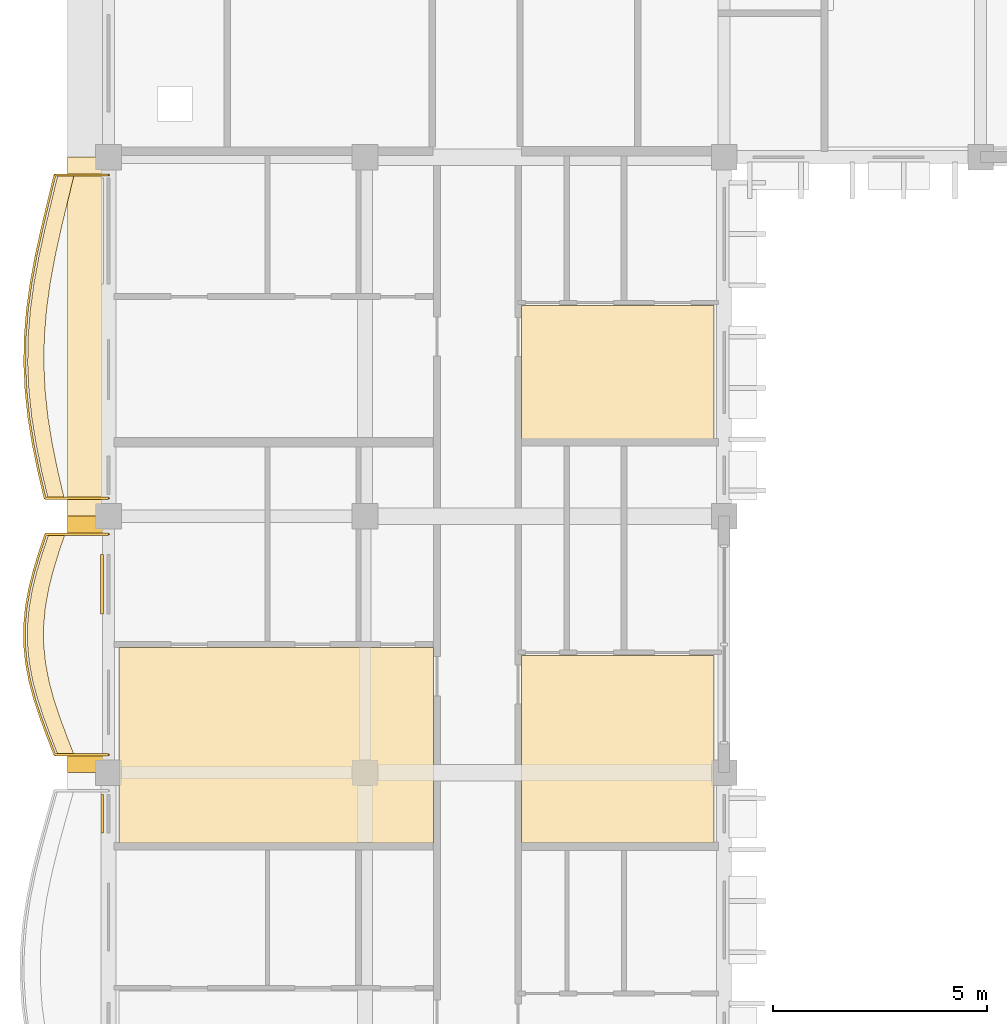
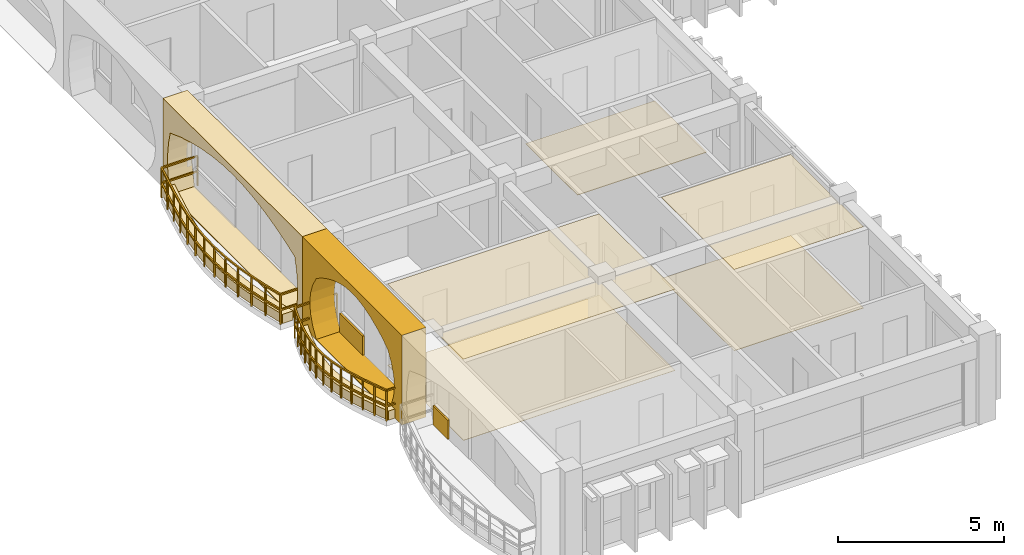
# One storey, part 22 of 31: 11 coverings, 2 railings.
"""IFC4 building model written with IfcOpenShell, lengths in metres."""

from ifc_helpers import new_model, si_unit, direction, frame, origin, origin_2d, place, context, subcontext, project, spatial, polyline, rectangle, outline, extrude, material, layer, layer_set, type_object, element, save


model = new_model("IFC4")

# Units and contexts
model_context = context("Model", 3, precision=1e-05, world=origin(), true_north=direction((0.0, 1.0)))
body_context = subcontext(model_context, "Body", "Model", "MODEL_VIEW")
ifc_project = project(units=[si_unit("LENGTHUNIT", "METRE"), si_unit("AREAUNIT", "SQUARE_METRE"), si_unit("VOLUMEUNIT", "CUBIC_METRE"), si_unit("PLANEANGLEUNIT", "RADIAN"), si_unit("MASSUNIT", "GRAM", prefix="KILO"), si_unit("THERMODYNAMICTEMPERATUREUNIT", "KELVIN")], contexts=[model_context])

# Site, building, storey
site_placement = place(None, origin())
site = spatial("IfcSite", under=ifc_project, at=site_placement, CompositionType="ELEMENT")
building_placement = place(site_placement, origin())
building = spatial("IfcBuilding", under=site, at=building_placement, Name="Thalorik Housing Commons", CompositionType="ELEMENT")
storey_placement = place(building_placement, frame((0.0, 0.0, 37.800048828125)))
storey = spatial("IfcBuildingStorey", under=building, at=storey_placement, Name="L11", CompositionType="ELEMENT", Elevation=37.800048828125)

# Coverings
ifc_material_1 = material(Name="Precast concrete C40/50", Category="concrete")
ifc_layer_1 = layer(ifc_material_1, 0.85009765625, Name="Precast concrete C40/50", Category="concrete")
ifc_layer_set_1 = layer_set([ifc_layer_1], Name="Precast concrete C40/50")
covering_type_1 = type_object("IfcCoveringType", Name="ARC-CLD-CUSH-850", PredefinedType="CLADDING", material=ifc_layer_set_1)
covering_1_placement = place(storey_placement, frame((7.862548828125, 105.0, 0.0), z_axis=(0.0, 0.0, 1.0), x_axis=(0.0, -1.0, 0.0)))
element("IfcCovering", 1, at=covering_1_placement, inside=storey, type_object=covering_type_1, Name="L11 White Precast Curved Cushion Bay Frame 1138", PredefinedType="CLADDING", context=body_context, shape_type="SweptSolid", body=[
    extrude(outline(polyline([(-4.199951171875, 0.0), (4.199951171875, 0.0), (4.199951171875, 3.300048828125), (-4.199951171875, 3.300048828125), (-4.199951171875, 0.0)]), holes=[polyline([(3.739990234375, 0.02490234375), (3.837158203125, 0.40087890625), (3.8955078125, 0.776611328125), (3.914794921875, 1.152587890625), (3.8955078125, 1.5283203125), (3.837158203125, 1.904296875), (3.739990234375, 2.280029296875), (3.11474609375, 2.51123046875), (2.489501953125, 2.693115234375), (1.864501953125, 2.840087890625), (1.2392578125, 2.94970703125), (0.614013671875, 3.01708984375), (-0.01123046875, 3.0400390625), (-0.636474609375, 3.01708984375), (-1.26171875, 2.94970703125), (-1.886962890625, 2.840087890625), (-2.51220703125, 2.693115234375), (-3.13720703125, 2.51123046875), (-3.762451171875, 2.280029296875), (-3.85498046875, 1.904296875), (-3.910400390625, 1.5283203125), (-3.9287109375, 1.152587890625), (-3.910400390625, 0.776611328125), (-3.85498046875, 0.40087890625), (-3.762451171875, 0.02490234375), (3.739990234375, 0.02490234375)])]), frame((0.0, 0.425048828125, 0.0), z_axis=(0.0, -1.0, 0.0), x_axis=(1.0, 0.0, 0.0)), (0.0, 0.0, 1.0), 0.85009765625),
])
covering_2_placement = place(storey_placement, frame((7.862548828125, 97.800048828125, 0.0), z_axis=(0.0, 0.0, 1.0), x_axis=(0.0, -1.0, 0.0)))
element("IfcCovering", 2, at=covering_2_placement, inside=storey, type_object=covering_type_1, Name="L11 White Precast Curved Cushion Bay Frame 1140", PredefinedType="CLADDING", context=body_context, shape_type="SweptSolid", body=[
    extrude(outline(polyline([(-3.0, 0.0), (3.0, 0.0), (3.0, 3.300048828125), (-3.0, 3.300048828125), (-3.0, 0.0)]), holes=[polyline([(2.152587890625, 0.02490234375), (2.373291015625, 0.399169921875), (2.505859375, 0.773193359375), (2.550048828125, 1.1474609375), (2.505859375, 1.521728515625), (2.373291015625, 1.895751953125), (2.152587890625, 2.27001953125), (1.793212890625, 2.50439453125), (1.43408203125, 2.6884765625), (1.074951171875, 2.837646484375), (0.7158203125, 2.948486328125), (0.356689453125, 3.016845703125), (-0.00244140625, 3.0400390625), (-0.36181640625, 3.016845703125), (-0.720703125, 2.948486328125), (-1.080078125, 2.837646484375), (-1.439208984375, 2.6884765625), (-1.79833984375, 2.50439453125), (-2.157470703125, 2.27001953125), (-2.37548828125, 1.895751953125), (-2.50634765625, 1.521728515625), (-2.550048828125, 1.1474609375), (-2.50634765625, 0.773193359375), (-2.37548828125, 0.399169921875), (-2.157470703125, 0.02490234375), (2.152587890625, 0.02490234375)])]), frame((0.0, 0.425048828125, 0.0), z_axis=(0.0, -1.0, 0.0), x_axis=(1.0, 0.0, 0.0)), (0.0, 0.0, 1.0), 0.85009765625),
])
ifc_material_2 = material(Name="Terracotta red mineral fibre-cement panel", Category="masonry")
ifc_layer_2 = layer(ifc_material_2, 0.054931640625, Name="Terracotta red mineral fibre-cement panel", Category="masonry")
ifc_layer_set_2 = layer_set([ifc_layer_2], Name="Terracotta red mineral fibre-cement panel")
covering_type_2 = type_object("IfcCoveringType", Name="ARC-CLD-RED-55", PredefinedType="CLADDING", material=ifc_layer_set_2)
covering_3_placement = place(storey_placement, frame((8.2548828125, 93.844970703125, 0.0498046875), z_axis=(0.0, 0.0, 1.0), x_axis=(0.0, -1.0, 0.0)))
element("IfcCovering", 3, at=covering_3_placement, inside=storey, type_object=covering_type_2, Name="L11 De Stijl Recessed Window Spandrel 1143", PredefinedType="CLADDING", context=body_context, shape_type="SweptSolid", body=[
    extrude(rectangle(XDim=0.89990234375, YDim=0.054931640625, at=origin_2d()), origin(), (0.0, 0.0, 1.0), 0.699951171875),
])
ifc_material_3 = material(Name="Mineral ochre architectural terracotta panel", Category="masonry")
ifc_layer_3 = layer(ifc_material_3, 0.06494140625, Name="Mineral ochre architectural terracotta panel", Category="masonry")
ifc_layer_set_3 = layer_set([ifc_layer_3], Name="Mineral ochre architectural terracotta panel")
covering_type_3 = type_object("IfcCoveringType", Name="ARC-CLD-YEL-65", PredefinedType="CLADDING", material=ifc_layer_set_3)
covering_4_placement = place(storey_placement, frame((8.25, 99.20751953125, 0.0498046875), z_axis=(0.0, 0.0, 1.0), x_axis=(0.0, -1.0, 0.0)))
element("IfcCovering", 4, at=covering_4_placement, inside=storey, type_object=covering_type_3, Name="L11 De Stijl Recessed Window Spandrel 1141", PredefinedType="CLADDING", context=body_context, shape_type="SweptSolid", body=[
    extrude(rectangle(XDim=1.39990234375, YDim=0.06494140625, at=origin_2d()), origin(), (0.0, 0.0, 1.0), 0.699951171875),
])
ifc_material_4 = material(Name="Perforated acoustic gypsum ceiling board")
ifc_layer_4 = layer(ifc_material_4, 0.014892578125, Name="Perforated acoustic gypsum ceiling board")
ifc_layer_set_4 = layer_set([ifc_layer_4], Name="Perforated acoustic gypsum ceiling board")
covering_type_4 = type_object("IfcCoveringType", Name="ARC-COV-CEIL-01", PredefinedType="CEILING", material=ifc_layer_set_4)
covering_5_placement = place(storey_placement, frame((0.0, 0.0, 2.98486328125)))
element("IfcCovering", 5, at=covering_5_placement, inside=storey, type_object=covering_type_4, Name="L11 Family Lounge Suspended Ceiling", PredefinedType="CEILING", context=body_context, shape_type="SweptSolid", body=[
    extrude(outline(polyline([(16.0, 97.735107421875), (8.639892578125, 97.735107421875), (8.639892578125, 93.159912109375), (16.0, 93.159912109375), (16.0, 97.735107421875)])), origin(), (0.0, 0.0, 1.0), 0.01513671875),
])
ifc_material_5 = material(Name="Mineral fibre acoustic ceiling tile")
ifc_layer_5 = layer(ifc_material_5, 0.01806640625, Name="Mineral fibre acoustic ceiling tile")
ifc_layer_set_5 = layer_set([ifc_layer_5], Name="Mineral fibre acoustic ceiling tile")
covering_type_5 = type_object("IfcCoveringType", Name="ARC-COV-CEIL-02", PredefinedType="CEILING", material=ifc_layer_set_5)
covering_6_placement = place(storey_placement, frame((0.0, 0.0, 2.98193359375)))
element("IfcCovering", 6, at=covering_6_placement, inside=storey, type_object=covering_type_5, Name="L11 Sunlit Wintergarden Lounge Suspended Ceiling", PredefinedType="CEILING", context=body_context, shape_type="SweptSolid", body=[
    extrude(outline(polyline([(22.56005859375, 97.5458984375), (18.06005859375, 97.5458984375), (18.06005859375, 93.159912109375), (22.56005859375, 93.159912109375), (22.56005859375, 97.5458984375)])), origin(), (0.0, 0.0, 1.0), 0.01806640625),
])
ifc_material_6 = material(Name="Glazed Recife ceramic apartment floor tile")
ifc_layer_6 = layer(ifc_material_6, 0.011962890625, Name="Glazed Recife ceramic apartment floor tile")
ifc_layer_set_6 = layer_set([ifc_layer_6], Name="Glazed Recife ceramic apartment floor tile")
covering_type_6 = type_object("IfcCoveringType", Name="ARC-COV-FLR-01", PredefinedType="FLOORING", material=ifc_layer_set_6)
covering_7_placement = place(storey_placement, origin())
element("IfcCovering", 7, at=covering_7_placement, inside=storey, type_object=covering_type_6, Name="L11 Family Lounge Flooring", PredefinedType="FLOORING", context=body_context, shape_type="SweptSolid", body=[
    extrude(outline(polyline([(16.0, 97.735107421875), (8.639892578125, 97.735107421875), (8.639892578125, 93.159912109375), (16.0, 93.159912109375), (16.0, 97.735107421875)])), origin(), (0.0, 0.0, 1.0), 0.011962890625),
])
ifc_material_7 = material(Name="Slip-resistant quarry terracotta corridor tile", Category="masonry")
ifc_layer_7 = layer(ifc_material_7, 0.01611328125, Name="Slip-resistant quarry terracotta corridor tile", Category="masonry")
ifc_layer_set_7 = layer_set([ifc_layer_7], Name="Slip-resistant quarry terracotta corridor tile")
covering_type_7 = type_object("IfcCoveringType", Name="ARC-COV-FLR-02", PredefinedType="FLOORING", material=ifc_layer_set_7)
covering_8_placement = place(storey_placement, origin())
element("IfcCovering", 8, at=covering_8_placement, inside=storey, type_object=covering_type_7, Name="L11 Sunlit Wintergarden Lounge Flooring", PredefinedType="FLOORING", context=body_context, shape_type="SweptSolid", body=[
    extrude(outline(polyline([(22.56005859375, 97.5458984375), (18.06005859375, 97.5458984375), (18.06005859375, 93.159912109375), (22.56005859375, 93.159912109375), (22.56005859375, 97.5458984375)])), origin(), (0.0, 0.0, 1.0), 0.015869140625),
])
ifc_material_8 = material(Name="Cushioned natural linoleum nursery playroom flooring")
ifc_layer_8 = layer(ifc_material_8, 0.02001953125, Name="Cushioned natural linoleum nursery playroom flooring")
ifc_layer_set_8 = layer_set([ifc_layer_8], Name="Cushioned natural linoleum nursery playroom flooring")
covering_type_8 = type_object("IfcCoveringType", Name="ARC-COV-FLR-03", PredefinedType="FLOORING", material=ifc_layer_set_8)
covering_9_placement = place(storey_placement, origin())
element("IfcCovering", 9, at=covering_9_placement, inside=storey, type_object=covering_type_8, Name="L11 Living Dining Room Flooring", PredefinedType="FLOORING", context=body_context, shape_type="SweptSolid", body=[
    extrude(outline(polyline([(22.56005859375, 105.728759765625), (18.06005859375, 105.728759765625), (18.06005859375, 102.610107421875), (22.56005859375, 102.610107421875), (22.56005859375, 105.728759765625)])), origin(), (0.0, 0.0, 1.0), 0.02001953125),
])
ifc_material_9 = material(Name="Planted vegetated substrate and terracotta trough", Category="masonry")
ifc_layer_9 = layer(ifc_material_9, 0.340087890625, Name="Planted vegetated substrate and terracotta trough", Category="masonry")
ifc_layer_set_9 = layer_set([ifc_layer_9], Name="Planted vegetated substrate and terracotta trough")
covering_type_9 = type_object("IfcCoveringType", Name="ARC-COV-PLANTER", PredefinedType="USERDEFINED", material=ifc_layer_set_9)
covering_10_placement = place(storey_placement, origin())
element("IfcCovering", 10, at=covering_10_placement, inside=storey, type_object=covering_type_9, Name="L11 Balcony Slab-Edge Planted Trough 5395", ObjectType="PLANTER", PredefinedType="USERDEFINED", context=body_context, shape_type="SweptSolid", body=[
    extrude(outline(polyline([(7.001220703125, 100.3798828125), (6.856689453125, 99.949951171875), (6.725830078125, 99.52001953125), (6.618408203125, 99.090087890625), (6.542236328125, 98.659912109375), (6.503173828125, 98.22998046875), (6.50439453125, 97.800048828125), (6.547119140625, 97.3701171875), (6.628662109375, 96.93994140625), (6.744384765625, 96.510009765625), (6.88671875, 96.080078125), (7.046875, 95.64990234375), (7.214111328125, 95.219970703125), (7.59423828125, 95.219970703125), (7.427001953125, 95.64990234375), (7.266845703125, 96.080078125), (7.124267578125, 96.510009765625), (7.0087890625, 96.93994140625), (6.927001953125, 97.3701171875), (6.884521484375, 97.800048828125), (6.883056640625, 98.22998046875), (6.922119140625, 98.659912109375), (6.998291015625, 99.090087890625), (7.10595703125, 99.52001953125), (7.236572265625, 99.949951171875), (7.381103515625, 100.3798828125), (7.001220703125, 100.3798828125)])), origin(), (0.0, 0.0, 1.0), 0.33984375),
])
covering_11_placement = place(storey_placement, origin())
element("IfcCovering", 11, at=covering_11_placement, inside=storey, type_object=covering_type_9, Name="L11 Balcony Slab-Edge Planted Trough 5396", ObjectType="PLANTER", PredefinedType="USERDEFINED", context=body_context, shape_type="SweptSolid", body=[
    extrude(outline(polyline([(7.213134765625, 108.780029296875), (7.061279296875, 108.14990234375), (6.911376953125, 107.52001953125), (6.773681640625, 106.889892578125), (6.6572265625, 106.260009765625), (6.57080078125, 105.6298828125), (6.519775390625, 105.0), (6.50830078125, 104.3701171875), (6.537109375, 103.739990234375), (6.604736328125, 103.110107421875), (6.70654296875, 102.47998046875), (6.8359375, 101.85009765625), (6.98388671875, 101.219970703125), (7.364013671875, 101.219970703125), (7.2158203125, 101.85009765625), (7.086669921875, 102.47998046875), (6.98486328125, 103.110107421875), (6.917236328125, 103.739990234375), (6.88818359375, 104.3701171875), (6.89990234375, 105.0), (6.95068359375, 105.6298828125), (7.037353515625, 106.260009765625), (7.153564453125, 106.889892578125), (7.29150390625, 107.52001953125), (7.44140625, 108.14990234375), (7.59326171875, 108.780029296875), (7.213134765625, 108.780029296875)])), origin(), (0.0, 0.0, 1.0), 0.33984375),
])

# Railings
ifc_material_10 = material(Name="Steel S355", Category="steel")
railing_type_1 = type_object("IfcRailingType", Name="ARC-RL-BAL-112", PredefinedType="BALUSTRADE", material=ifc_material_10)
railing_1_placement = place(storey_placement, frame((8.39990234375, 108.780029296875, 0.0)))
element("IfcRailing", 12, at=railing_1_placement, inside=storey, type_object=railing_type_1, Name="L11 Cushion Balcony Guardrail 80", PredefinedType="BALUSTRADE", context=body_context, shape_type="SweptSolid", body=[
    extrude(rectangle(XDim=0.050048828125, YDim=0.050048828125, at=origin_2d()), frame((0.0, 0.0, 1.09521484375), z_axis=(-1.0, 0.0, 0.0), x_axis=(0.0, -1.0, 0.0)), (0.0, 0.0, 1.0), 1.256591796875),
    extrude(rectangle(XDim=0.050048828125, YDim=0.050048828125, at=origin_2d()), frame((0.0, 0.0, 0.53515625), z_axis=(-1.0, 0.0, 0.0), x_axis=(0.0, -1.0, 0.0)), (0.0, 0.0, 1.0), 1.256591796875),
    extrude(rectangle(XDim=0.050048828125, YDim=0.050048828125, at=origin_2d()), frame((-1.256591796875, 0.0, 1.09521484375), z_axis=(-0.234640533104, -0.972082208573, 0.0), x_axis=(0.972082208573, -0.234640533104, 0.0)), (0.0, 0.0, 1.0), 0.648193359375),
    extrude(rectangle(XDim=0.050048828125, YDim=0.050048828125, at=origin_2d()), frame((-1.256591796875, 0.0, 0.53515625), z_axis=(-0.234640533104, -0.972082208573, 0.0), x_axis=(0.972082208573, -0.234640533104, 0.0)), (0.0, 0.0, 1.0), 0.648193359375),
    extrude(rectangle(XDim=0.050048828125, YDim=0.050048828125, at=origin_2d()), frame((-1.40869140625, -0.630126953125, 1.09521484375), z_axis=(-0.231518572545, -0.972830483983, 0.0), x_axis=(0.972830483983, -0.231518572545, 0.0)), (0.0, 0.0, 1.0), 0.6474609375),
    extrude(rectangle(XDim=0.050048828125, YDim=0.050048828125, at=origin_2d()), frame((-1.40869140625, -0.630126953125, 0.53515625), z_axis=(-0.231518572545, -0.972830483983, 0.0), x_axis=(0.972830483983, -0.231518572545, 0.0)), (0.0, 0.0, 1.0), 0.6474609375),
    extrude(rectangle(XDim=0.050048828125, YDim=0.050048828125, at=origin_2d()), frame((-1.55859375, -1.260009765625, 1.09521484375), z_axis=(-0.213482393647, -0.976946911353, 0.0), x_axis=(0.976946911353, -0.213482393647, 0.0)), (0.0, 0.0, 1.0), 0.64501953125),
    extrude(rectangle(XDim=0.050048828125, YDim=0.050048828125, at=origin_2d()), frame((-1.55859375, -1.260009765625, 0.53515625), z_axis=(-0.213482393647, -0.976946911353, 0.0), x_axis=(0.976946911353, -0.213482393647, 0.0)), (0.0, 0.0, 1.0), 0.64501953125),
    extrude(rectangle(XDim=0.050048828125, YDim=0.050048828125, at=origin_2d()), frame((-1.6962890625, -1.89013671875, 1.09521484375), z_axis=(-0.181434062548, -0.98340311213, 0.0), x_axis=(0.98340311213, -0.181434062548, 0.0)), (0.0, 0.0, 1.0), 0.640625),
    extrude(rectangle(XDim=0.050048828125, YDim=0.050048828125, at=origin_2d()), frame((-1.6962890625, -1.89013671875, 0.53515625), z_axis=(-0.181434062548, -0.98340311213, 0.0), x_axis=(0.98340311213, -0.181434062548, 0.0)), (0.0, 0.0, 1.0), 0.640625),
    extrude(rectangle(XDim=0.050048828125, YDim=0.050048828125, at=origin_2d()), frame((-1.8125, -2.52001953125, 1.09521484375), z_axis=(-0.136260720322, -0.990673011693, 0.0), x_axis=(0.990673011693, -0.136260720322, 0.0)), (0.0, 0.0, 1.0), 0.635986328125),
    extrude(rectangle(XDim=0.050048828125, YDim=0.050048828125, at=origin_2d()), frame((-1.8125, -2.52001953125, 0.53515625), z_axis=(-0.136260720322, -0.990673011693, 0.0), x_axis=(0.990673011693, -0.136260720322, 0.0)), (0.0, 0.0, 1.0), 0.635986328125),
    extrude(rectangle(XDim=0.050048828125, YDim=0.050048828125, at=origin_2d()), frame((-1.899169921875, -3.150146484375, 1.09521484375), z_axis=(-0.080743256197, -0.996734932958, 0.0), x_axis=(0.996734932958, -0.080743256197, 0.0)), (0.0, 0.0, 1.0), 0.6318359375),
    extrude(rectangle(XDim=0.050048828125, YDim=0.050048828125, at=origin_2d()), frame((-1.899169921875, -3.150146484375, 0.53515625), z_axis=(-0.080743256197, -0.996734932958, 0.0), x_axis=(0.996734932958, -0.080743256197, 0.0)), (0.0, 0.0, 1.0), 0.6318359375),
    extrude(rectangle(XDim=0.050048828125, YDim=0.050048828125, at=origin_2d()), frame((-1.9501953125, -3.780029296875, 1.09521484375), z_axis=(-0.01821403225, -0.999834110755, 0.0), x_axis=(0.999834110755, -0.01821403225, 0.0)), (0.0, 0.0, 1.0), 0.6298828125),
    extrude(rectangle(XDim=0.050048828125, YDim=0.050048828125, at=origin_2d()), frame((-1.9501953125, -3.780029296875, 0.53515625), z_axis=(-0.01821403225, -0.999834110755, 0.0), x_axis=(0.999834110755, -0.01821403225, 0.0)), (0.0, 0.0, 1.0), 0.6298828125),
    extrude(rectangle(XDim=0.050048828125, YDim=0.050048828125, at=origin_2d()), frame((-1.961669921875, -4.409912109375, 1.09521484375), z_axis=(0.046057232665, -0.99893880259, 0.0), x_axis=(0.99893880259, 0.046057232665, 0.0)), (0.0, 0.0, 1.0), 0.630859375),
    extrude(rectangle(XDim=0.050048828125, YDim=0.050048828125, at=origin_2d()), frame((-1.961669921875, -4.409912109375, 0.53515625), z_axis=(0.046057232665, -0.99893880259, 0.0), x_axis=(0.99893880259, 0.046057232665, 0.0)), (0.0, 0.0, 1.0), 0.630859375),
    extrude(rectangle(XDim=0.050048828125, YDim=0.050048828125, at=origin_2d()), frame((-1.9326171875, -5.0400390625, 1.09521484375), z_axis=(0.106750840094, -0.994285803046, 0.0), x_axis=(0.994285803046, 0.106750840094, 0.0)), (0.0, 0.0, 1.0), 0.633544921875),
    extrude(rectangle(XDim=0.050048828125, YDim=0.050048828125, at=origin_2d()), frame((-1.9326171875, -5.0400390625, 0.53515625), z_axis=(0.106750840094, -0.994285803046, 0.0), x_axis=(0.994285803046, 0.106750840094, 0.0)), (0.0, 0.0, 1.0), 0.633544921875),
    extrude(rectangle(XDim=0.050048828125, YDim=0.050048828125, at=origin_2d()), frame((-1.864990234375, -5.669921875, 1.09521484375), z_axis=(0.159496992938, -0.987198414324, 0.0), x_axis=(0.987198414324, 0.159496992938, 0.0)), (0.0, 0.0, 1.0), 0.63818359375),
    extrude(rectangle(XDim=0.050048828125, YDim=0.050048828125, at=origin_2d()), frame((-1.864990234375, -5.669921875, 0.53515625), z_axis=(0.159496992938, -0.987198414324, 0.0), x_axis=(0.987198414324, 0.159496992938, 0.0)), (0.0, 0.0, 1.0), 0.63818359375),
    extrude(rectangle(XDim=0.050048828125, YDim=0.050048828125, at=origin_2d()), frame((-1.76318359375, -6.300048828125, 1.09521484375), z_axis=(0.200860058517, -0.979619945128, 0.0), x_axis=(0.979619945128, 0.200860058517, 0.0)), (0.0, 0.0, 1.0), 0.64306640625),
    extrude(rectangle(XDim=0.050048828125, YDim=0.050048828125, at=origin_2d()), frame((-1.76318359375, -6.300048828125, 0.53515625), z_axis=(0.200860058517, -0.979619945128, 0.0), x_axis=(0.979619945128, 0.200860058517, 0.0)), (0.0, 0.0, 1.0), 0.64306640625),
    extrude(rectangle(XDim=0.050048828125, YDim=0.050048828125, at=origin_2d()), frame((-1.634033203125, -6.929931640625, 1.09521484375), z_axis=(0.228934223097, -0.973441894257, 0.0), x_axis=(0.973441894257, 0.228934223097, 0.0)), (0.0, 0.0, 1.0), 0.647216796875),
    extrude(rectangle(XDim=0.050048828125, YDim=0.050048828125, at=origin_2d()), frame((-1.634033203125, -6.929931640625, 0.53515625), z_axis=(0.228934223097, -0.973441894257, 0.0), x_axis=(0.973441894257, 0.228934223097, 0.0)), (0.0, 0.0, 1.0), 0.647216796875),
    extrude(rectangle(XDim=0.050048828125, YDim=0.050048828125, at=origin_2d()), frame((-1.48583984375, -7.56005859375, 1.09521484375), z_axis=(1.0, 0.0, 0.0), x_axis=(0.0, 1.0, 0.0)), (0.0, 0.0, 1.0), 1.48583984375),
    extrude(rectangle(XDim=0.050048828125, YDim=0.050048828125, at=origin_2d()), frame((-1.48583984375, -7.56005859375, 0.53515625), z_axis=(1.0, 0.0, 0.0), x_axis=(0.0, 1.0, 0.0)), (0.0, 0.0, 1.0), 1.48583984375),
    extrude(rectangle(XDim=0.0419921875, YDim=0.0419921875, at=origin_2d()), origin(), (0.0, 0.0, 1.0), 1.070068359375),
    extrude(rectangle(XDim=0.0419921875, YDim=0.0419921875, at=origin_2d()), frame((-1.256591796875, 0.0, 0.0)), (0.0, 0.0, 1.0), 1.070068359375),
    extrude(rectangle(XDim=0.0419921875, YDim=0.0419921875, at=origin_2d()), frame((-1.40869140625, -0.630126953125, 0.0)), (0.0, 0.0, 1.0), 1.070068359375),
    extrude(rectangle(XDim=0.0419921875, YDim=0.0419921875, at=origin_2d()), frame((-1.55859375, -1.260009765625, 0.0)), (0.0, 0.0, 1.0), 1.070068359375),
    extrude(rectangle(XDim=0.0419921875, YDim=0.0419921875, at=origin_2d()), frame((-1.6962890625, -1.89013671875, 0.0)), (0.0, 0.0, 1.0), 1.070068359375),
    extrude(rectangle(XDim=0.0419921875, YDim=0.0419921875, at=origin_2d()), frame((-1.8125, -2.52001953125, 0.0)), (0.0, 0.0, 1.0), 1.070068359375),
    extrude(rectangle(XDim=0.0419921875, YDim=0.0419921875, at=origin_2d()), frame((-1.899169921875, -3.150146484375, 0.0)), (0.0, 0.0, 1.0), 1.070068359375),
    extrude(rectangle(XDim=0.0419921875, YDim=0.0419921875, at=origin_2d()), frame((-1.9501953125, -3.780029296875, 0.0)), (0.0, 0.0, 1.0), 1.070068359375),
    extrude(rectangle(XDim=0.0419921875, YDim=0.0419921875, at=origin_2d()), frame((-1.961669921875, -4.409912109375, 0.0)), (0.0, 0.0, 1.0), 1.070068359375),
    extrude(rectangle(XDim=0.0419921875, YDim=0.0419921875, at=origin_2d()), frame((-1.9326171875, -5.0400390625, 0.0)), (0.0, 0.0, 1.0), 1.070068359375),
    extrude(rectangle(XDim=0.0419921875, YDim=0.0419921875, at=origin_2d()), frame((-1.864990234375, -5.669921875, 0.0)), (0.0, 0.0, 1.0), 1.070068359375),
    extrude(rectangle(XDim=0.0419921875, YDim=0.0419921875, at=origin_2d()), frame((-1.76318359375, -6.300048828125, 0.0)), (0.0, 0.0, 1.0), 1.070068359375),
    extrude(rectangle(XDim=0.0419921875, YDim=0.0419921875, at=origin_2d()), frame((-1.634033203125, -6.929931640625, 0.0)), (0.0, 0.0, 1.0), 1.070068359375),
    extrude(rectangle(XDim=0.0419921875, YDim=0.0419921875, at=origin_2d()), frame((-1.48583984375, -7.56005859375, 0.0)), (0.0, 0.0, 1.0), 1.070068359375),
    extrude(rectangle(XDim=0.0419921875, YDim=0.0419921875, at=origin_2d()), frame((0.0, -7.56005859375, 0.0)), (0.0, 0.0, 1.0), 1.070068359375),
])
railing_type_2 = type_object("IfcRailingType", Name="ARC-RL-BAL-115", PredefinedType="BALUSTRADE", material=ifc_material_10)
railing_2_placement = place(storey_placement, frame((8.39990234375, 100.3798828125, 0.0)))
element("IfcRailing", 13, at=railing_2_placement, inside=storey, type_object=railing_type_2, Name="L11 Cushion Balcony Guardrail 79", PredefinedType="BALUSTRADE", context=body_context, shape_type="SweptSolid", body=[
    extrude(rectangle(XDim=0.050048828125, YDim=0.050048828125, at=origin_2d()), frame((0.0, 0.0, 1.125), z_axis=(-1.0, 0.0, 0.0), x_axis=(0.0, -1.0, 0.0)), (0.0, 0.0, 1.0), 1.46875),
    extrude(rectangle(XDim=0.050048828125, YDim=0.050048828125, at=origin_2d()), frame((0.0, 0.0, 0.5498046875), z_axis=(-1.0, 0.0, 0.0), x_axis=(0.0, -1.0, 0.0)), (0.0, 0.0, 1.0), 1.46875),
    extrude(rectangle(XDim=0.050048828125, YDim=0.050048828125, at=origin_2d()), frame((-1.46875, 0.0, 1.125), z_axis=(-0.318648897539, -0.947872818524, 0.0), x_axis=(0.947872818524, -0.318648897539, 0.0)), (0.0, 0.0, 1.0), 0.45361328125),
    extrude(rectangle(XDim=0.050048828125, YDim=0.050048828125, at=origin_2d()), frame((-1.46875, 0.0, 0.5498046875), z_axis=(-0.318648897539, -0.947872818524, 0.0), x_axis=(0.947872818524, -0.318648897539, 0.0)), (0.0, 0.0, 1.0), 0.45361328125),
    extrude(rectangle(XDim=0.050048828125, YDim=0.050048828125, at=origin_2d()), frame((-1.61328125, -0.429931640625, 1.125), z_axis=(-0.290685923883, -0.956818527024, 0.0), x_axis=(0.956818527024, -0.290685923883, 0.0)), (0.0, 0.0, 1.0), 0.44921875),
    extrude(rectangle(XDim=0.050048828125, YDim=0.050048828125, at=origin_2d()), frame((-1.61328125, -0.429931640625, 0.5498046875), z_axis=(-0.290685923883, -0.956818527024, 0.0), x_axis=(0.956818527024, -0.290685923883, 0.0)), (0.0, 0.0, 1.0), 0.44921875),
    extrude(rectangle(XDim=0.050048828125, YDim=0.050048828125, at=origin_2d()), frame((-1.743896484375, -0.85986328125, 1.125), z_axis=(-0.242924440194, -0.970045213563, 0.0), x_axis=(0.970045213563, -0.242924440194, 0.0)), (0.0, 0.0, 1.0), 0.443115234375),
    extrude(rectangle(XDim=0.050048828125, YDim=0.050048828125, at=origin_2d()), frame((-1.743896484375, -0.85986328125, 0.5498046875), z_axis=(-0.242924440194, -0.970045213563, 0.0), x_axis=(0.970045213563, -0.242924440194, 0.0)), (0.0, 0.0, 1.0), 0.443115234375),
    extrude(rectangle(XDim=0.050048828125, YDim=0.050048828125, at=origin_2d()), frame((-1.8515625, -1.289794921875, 1.125), z_axis=(-0.174359150343, -0.984682124694, 0.0), x_axis=(0.984682124694, -0.174359150343, 0.0)), (0.0, 0.0, 1.0), 0.436767578125),
    extrude(rectangle(XDim=0.050048828125, YDim=0.050048828125, at=origin_2d()), frame((-1.8515625, -1.289794921875, 0.5498046875), z_axis=(-0.174359150343, -0.984682124694, 0.0), x_axis=(0.984682124694, -0.174359150343, 0.0)), (0.0, 0.0, 1.0), 0.436767578125),
    extrude(rectangle(XDim=0.050048828125, YDim=0.050048828125, at=origin_2d()), frame((-1.927734375, -1.719970703125, 1.125), z_axis=(-0.090484755539, -0.995897840652, 0.0), x_axis=(0.995897840652, -0.090484755539, 0.0)), (0.0, 0.0, 1.0), 0.431640625),
    extrude(rectangle(XDim=0.050048828125, YDim=0.050048828125, at=origin_2d()), frame((-1.927734375, -1.719970703125, 0.5498046875), z_axis=(-0.090484755539, -0.995897840652, 0.0), x_axis=(0.995897840652, -0.090484755539, 0.0)), (0.0, 0.0, 1.0), 0.431640625),
    extrude(rectangle(XDim=0.050048828125, YDim=0.050048828125, at=origin_2d()), frame((-1.966796875, -2.14990234375, 1.125), z_axis=(0.003407135249, -0.999994195698, 0.0), x_axis=(0.999994195698, 0.003407135249, 0.0)), (0.0, 0.0, 1.0), 0.429931640625),
    extrude(rectangle(XDim=0.050048828125, YDim=0.050048828125, at=origin_2d()), frame((-1.966796875, -2.14990234375, 0.5498046875), z_axis=(0.003407135249, -0.999994195698, 0.0), x_axis=(0.999994195698, 0.003407135249, 0.0)), (0.0, 0.0, 1.0), 0.429931640625),
    extrude(rectangle(XDim=0.050048828125, YDim=0.050048828125, at=origin_2d()), frame((-1.96533203125, -2.579833984375, 1.125), z_axis=(0.098328674028, -0.995153994045, 0.0), x_axis=(0.995153994045, 0.098328674028, 0.0)), (0.0, 0.0, 1.0), 0.43212890625),
    extrude(rectangle(XDim=0.050048828125, YDim=0.050048828125, at=origin_2d()), frame((-1.96533203125, -2.579833984375, 0.5498046875), z_axis=(0.098328674028, -0.995153994045, 0.0), x_axis=(0.995153994045, 0.098328674028, 0.0)), (0.0, 0.0, 1.0), 0.43212890625),
    extrude(rectangle(XDim=0.050048828125, YDim=0.050048828125, at=origin_2d()), frame((-1.9228515625, -3.009765625, 1.125), z_axis=(0.18624084911, -0.982504120156, 0.0), x_axis=(0.982504120156, 0.18624084911, 0.0)), (0.0, 0.0, 1.0), 0.437744140625),
    extrude(rectangle(XDim=0.050048828125, YDim=0.050048828125, at=origin_2d()), frame((-1.9228515625, -3.009765625, 0.5498046875), z_axis=(0.18624084911, -0.982504120156, 0.0), x_axis=(0.982504120156, 0.18624084911, 0.0)), (0.0, 0.0, 1.0), 0.437744140625),
    extrude(rectangle(XDim=0.050048828125, YDim=0.050048828125, at=origin_2d()), frame((-1.84130859375, -3.43994140625, 1.125), z_axis=(0.259914478843, -0.965631639751, 0.0), x_axis=(0.965631639751, 0.259914478843, 0.0)), (0.0, 0.0, 1.0), 0.4453125),
    extrude(rectangle(XDim=0.050048828125, YDim=0.050048828125, at=origin_2d()), frame((-1.84130859375, -3.43994140625, 0.5498046875), z_axis=(0.259914478843, -0.965631639751, 0.0), x_axis=(0.965631639751, 0.259914478843, 0.0)), (0.0, 0.0, 1.0), 0.4453125),
    extrude(rectangle(XDim=0.050048828125, YDim=0.050048828125, at=origin_2d()), frame((-1.7255859375, -3.869873046875, 1.125), z_axis=(0.314772111925, -0.949167275855, 0.0), x_axis=(0.949167275855, 0.314772111925, 0.0)), (0.0, 0.0, 1.0), 0.452880859375),
    extrude(rectangle(XDim=0.050048828125, YDim=0.050048828125, at=origin_2d()), frame((-1.7255859375, -3.869873046875, 0.5498046875), z_axis=(0.314772111925, -0.949167275855, 0.0), x_axis=(0.949167275855, 0.314772111925, 0.0)), (0.0, 0.0, 1.0), 0.452880859375),
    extrude(rectangle(XDim=0.050048828125, YDim=0.050048828125, at=origin_2d()), frame((-1.5830078125, -4.2998046875, 1.125), z_axis=(0.348440290152, -0.937330979003, 0.0), x_axis=(0.937330979003, 0.348440290152, 0.0)), (0.0, 0.0, 1.0), 0.458984375),
    extrude(rectangle(XDim=0.050048828125, YDim=0.050048828125, at=origin_2d()), frame((-1.5830078125, -4.2998046875, 0.5498046875), z_axis=(0.348440290152, -0.937330979003, 0.0), x_axis=(0.937330979003, 0.348440290152, 0.0)), (0.0, 0.0, 1.0), 0.458984375),
    extrude(rectangle(XDim=0.050048828125, YDim=0.050048828125, at=origin_2d()), frame((-1.423095703125, -4.72998046875, 1.125), z_axis=(0.362982422944, -0.931795986595, 0.0), x_axis=(0.931795986595, 0.362982422944, 0.0)), (0.0, 0.0, 1.0), 0.46142578125),
    extrude(rectangle(XDim=0.050048828125, YDim=0.050048828125, at=origin_2d()), frame((-1.423095703125, -4.72998046875, 0.5498046875), z_axis=(0.362982422944, -0.931795986595, 0.0), x_axis=(0.931795986595, 0.362982422944, 0.0)), (0.0, 0.0, 1.0), 0.46142578125),
    extrude(rectangle(XDim=0.050048828125, YDim=0.050048828125, at=origin_2d()), frame((-1.255615234375, -5.159912109375, 1.125), z_axis=(1.0, 0.0, 0.0), x_axis=(0.0, 1.0, 0.0)), (0.0, 0.0, 1.0), 1.255615234375),
    extrude(rectangle(XDim=0.050048828125, YDim=0.050048828125, at=origin_2d()), frame((-1.255615234375, -5.159912109375, 0.5498046875), z_axis=(1.0, 0.0, 0.0), x_axis=(0.0, 1.0, 0.0)), (0.0, 0.0, 1.0), 1.255615234375),
    extrude(rectangle(XDim=0.0419921875, YDim=0.0419921875, at=origin_2d()), origin(), (0.0, 0.0, 1.0), 1.099853515625),
    extrude(rectangle(XDim=0.0419921875, YDim=0.0419921875, at=origin_2d()), frame((-1.46875, 0.0, 0.0)), (0.0, 0.0, 1.0), 1.099853515625),
    extrude(rectangle(XDim=0.0419921875, YDim=0.0419921875, at=origin_2d()), frame((-1.61328125, -0.429931640625, 0.0)), (0.0, 0.0, 1.0), 1.099853515625),
    extrude(rectangle(XDim=0.0419921875, YDim=0.0419921875, at=origin_2d()), frame((-1.743896484375, -0.85986328125, 0.0)), (0.0, 0.0, 1.0), 1.099853515625),
    extrude(rectangle(XDim=0.0419921875, YDim=0.0419921875, at=origin_2d()), frame((-1.8515625, -1.289794921875, 0.0)), (0.0, 0.0, 1.0), 1.099853515625),
    extrude(rectangle(XDim=0.0419921875, YDim=0.0419921875, at=origin_2d()), frame((-1.927734375, -1.719970703125, 0.0)), (0.0, 0.0, 1.0), 1.099853515625),
    extrude(rectangle(XDim=0.0419921875, YDim=0.0419921875, at=origin_2d()), frame((-1.966796875, -2.14990234375, 0.0)), (0.0, 0.0, 1.0), 1.099853515625),
    extrude(rectangle(XDim=0.0419921875, YDim=0.0419921875, at=origin_2d()), frame((-1.96533203125, -2.579833984375, 0.0)), (0.0, 0.0, 1.0), 1.099853515625),
    extrude(rectangle(XDim=0.0419921875, YDim=0.0419921875, at=origin_2d()), frame((-1.9228515625, -3.009765625, 0.0)), (0.0, 0.0, 1.0), 1.099853515625),
    extrude(rectangle(XDim=0.0419921875, YDim=0.0419921875, at=origin_2d()), frame((-1.84130859375, -3.43994140625, 0.0)), (0.0, 0.0, 1.0), 1.099853515625),
    extrude(rectangle(XDim=0.0419921875, YDim=0.0419921875, at=origin_2d()), frame((-1.7255859375, -3.869873046875, 0.0)), (0.0, 0.0, 1.0), 1.099853515625),
    extrude(rectangle(XDim=0.0419921875, YDim=0.0419921875, at=origin_2d()), frame((-1.5830078125, -4.2998046875, 0.0)), (0.0, 0.0, 1.0), 1.099853515625),
    extrude(rectangle(XDim=0.0419921875, YDim=0.0419921875, at=origin_2d()), frame((-1.423095703125, -4.72998046875, 0.0)), (0.0, 0.0, 1.0), 1.099853515625),
    extrude(rectangle(XDim=0.0419921875, YDim=0.0419921875, at=origin_2d()), frame((-1.255615234375, -5.159912109375, 0.0)), (0.0, 0.0, 1.0), 1.099853515625),
    extrude(rectangle(XDim=0.0419921875, YDim=0.0419921875, at=origin_2d()), frame((0.0, -5.159912109375, 0.0)), (0.0, 0.0, 1.0), 1.099853515625),
])

save(model, "model.ifc")
